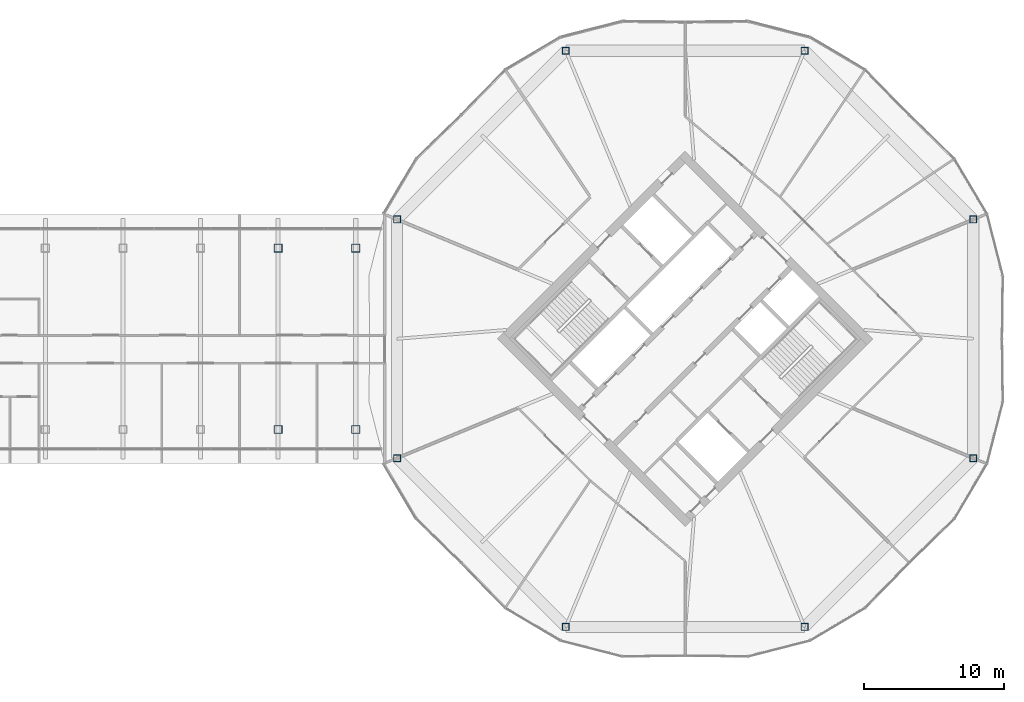
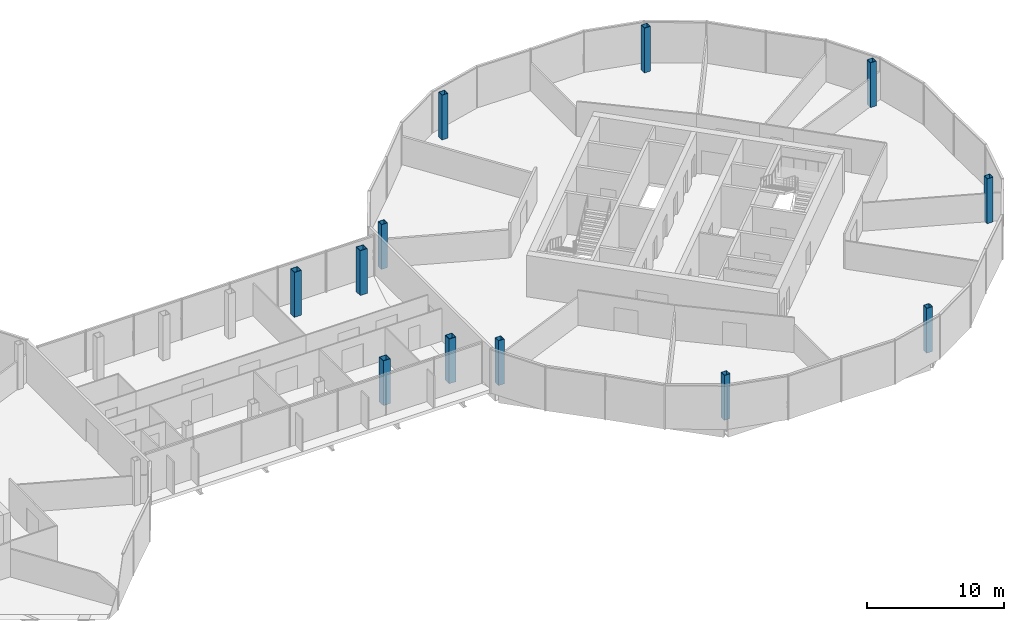
# One storey, part 2 of 25: 12 columns.
"""IFC4 building model written with IfcOpenShell, lengths in metres."""

from ifc_helpers import new_model, si_unit, direction, frame, origin, origin_2d, place, context, subcontext, project, spatial, hollow_rectangle, extrude, material, material_profile, profile_set, type_object, element, save


model = new_model("IFC4")

# Units and contexts
model_context = context("Model", 3, precision=1e-05, world=origin(), true_north=direction((0.0, 1.0)))
body_context = subcontext(model_context, "Body", "Model", "MODEL_VIEW")
ifc_project = project(units=[si_unit("LENGTHUNIT", "METRE"), si_unit("AREAUNIT", "SQUARE_METRE"), si_unit("VOLUMEUNIT", "CUBIC_METRE"), si_unit("PLANEANGLEUNIT", "RADIAN"), si_unit("MASSUNIT", "GRAM", prefix="KILO")], contexts=[model_context])

# Site, building, storey
site_placement = place(None, origin())
site = spatial("IfcSite", under=ifc_project, at=site_placement, CompositionType="ELEMENT")
building_placement = place(site_placement, origin())
building = spatial("IfcBuilding", under=site, at=building_placement, Name="Ogive Gate Towers", CompositionType="ELEMENT")
storey_placement = place(building_placement, frame((0.0, 0.0, 144.800048828125)))
storey = spatial("IfcBuildingStorey", under=building, at=storey_placement, Name="L34", CompositionType="ELEMENT", Elevation=144.800048828125)

# Columns
ifc_material = material(Name="Steel SM460", Category="steel")
ifc_material_profile_1 = material_profile(ifc_material, hollow_rectangle(XDim=0.60009765625, YDim=0.60009765625, WallThickness=0.0400390625, at=origin_2d()), Name="BX 600x600x40")
ifc_profile_set_1 = profile_set([ifc_material_profile_1], Name="Steel SM460")
column_type_1 = type_object("IfcColumnType", Name="Block column BX 600x600x40", PredefinedType="COLUMN", material=ifc_profile_set_1)
for number, where, z_axis, x_axis, name in (
    (1, (6.8388671875, -6.5, 0.0), (0.0, 0.0, 1.0), (1.0, 0.0, 0.0), "BR/L34/SCL007"),
    (2, (6.8388671875, 6.5, 0.0), (0.0, 0.0, 1.0), (1.0, 0.0, 0.0), "BR/L34/SCL008"),
    (3, (12.3955078125, -6.5, 0.0), (0.0, 0.0, 1.0), (1.0, 0.0, 0.0), "BR/L34/SCL009"),
    (4, (12.3955078125, 6.5, 0.0), (0.0, 0.0, 1.0), (1.0, 0.0, 0.0), "BR/L34/SCL010"),
):
    element("IfcColumn", number, at=place(storey_placement, frame(where, z_axis=z_axis, x_axis=x_axis)), inside=storey, type_object=column_type_1, Name=name, PredefinedType="COLUMN", context=body_context, shape_type="SweptSolid", body=[
        extrude(hollow_rectangle(XDim=0.60009765625, YDim=0.60009765625, WallThickness=0.0400390625, at=origin_2d()), origin(), (0.0, 0.0, 1.0), 4.0),
    ])
ifc_material_profile_2 = material_profile(ifc_material, hollow_rectangle(XDim=0.5, YDim=0.5, WallThickness=0.030029296875, at=origin_2d()), Name="BX 500x500x30")
ifc_profile_set_2 = profile_set([ifc_material_profile_2], Name="Steel SM460")
column_type_2 = type_object("IfcColumnType", Name="Perimeter post BX 500x500x30", PredefinedType="COLUMN", material=ifc_profile_set_2)
for number, where, z_axis, x_axis, name in (
    (5, (56.639404296875, 8.549072265625, 0.0), (0.0, 0.0, 1.0), (1.0, 0.0, 0.0), "T2/L34/SCL001"),
    (6, (44.549072265625, 20.639404296875, 0.0), (0.0, 0.0, 1.0), (1.0, 0.0, 0.0), "T2/L34/SCL002"),
    (7, (27.450927734375, 20.639404296875, 0.0), (0.0, 0.0, 1.0), (1.0, 0.0, 0.0), "T2/L34/SCL003"),
    (8, (15.360595703125, 8.549072265625, 0.0), (0.0, 0.0, 1.0), (1.0, 0.0, 0.0), "T2/L34/SCL004"),
    (9, (15.360595703125, -8.549072265625, 0.0), (0.0, 0.0, 1.0), (1.0, 0.0, 0.0), "T2/L34/SCL005"),
    (10, (27.450927734375, -20.639404296875, 0.0), (0.0, 0.0, 1.0), (1.0, 0.0, 0.0), "T2/L34/SCL006"),
    (11, (44.549072265625, -20.639404296875, 0.0), (0.0, 0.0, 1.0), (1.0, 0.0, 0.0), "T2/L34/SCL007"),
    (12, (56.639404296875, -8.549072265625, 0.0), (0.0, 0.0, 1.0), (1.0, 0.0, 0.0), "T2/L34/SCL008"),
):
    element("IfcColumn", number, at=place(storey_placement, frame(where, z_axis=z_axis, x_axis=x_axis)), inside=storey, type_object=column_type_2, Name=name, PredefinedType="COLUMN", context=body_context, shape_type="SweptSolid", body=[
        extrude(hollow_rectangle(XDim=0.5, YDim=0.5, WallThickness=0.030029296875, at=origin_2d()), origin(), (0.0, 0.0, 1.0), 4.0),
    ])

save(model, "model.ifc")
